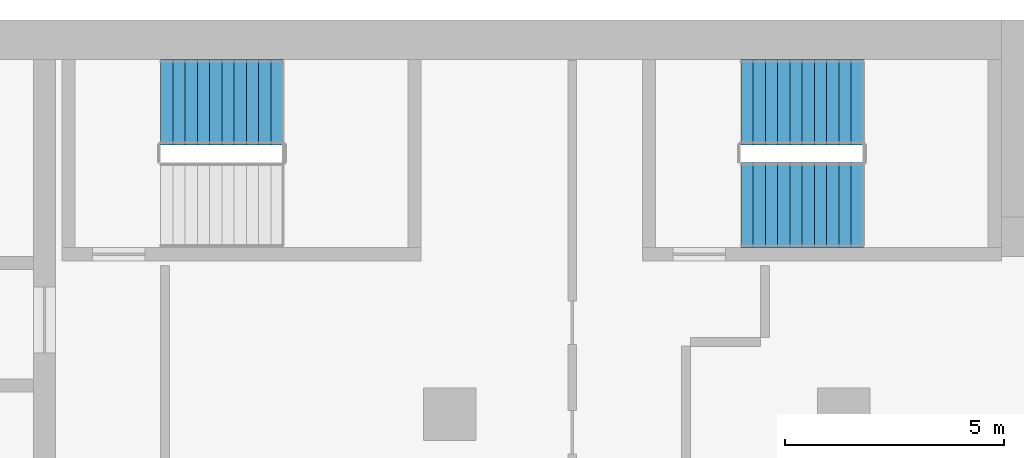
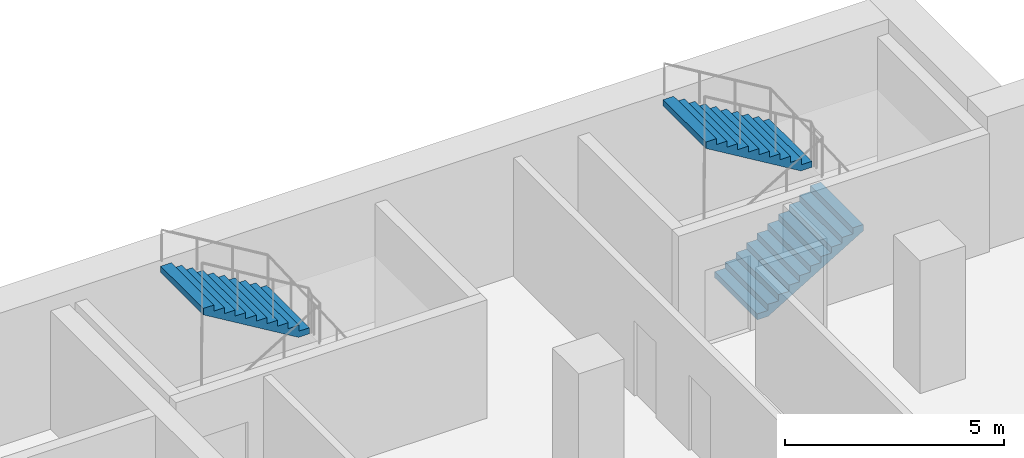
# One storey, part 18 of 23: 3 stair flights, 2 elements without a shape of their own.
"""IFC4 building model written with IfcOpenShell, lengths in metres."""

from ifc_helpers import new_model, si_unit, direction, frame, origin, place, context, subcontext, project, spatial, polyline, outline, extrude, material, type_object, element, aggregate, save


model = new_model("IFC4")

# Units and contexts
model_context = context("Model", 3, precision=1e-05, world=origin(), true_north=direction((0.0, 1.0)))
body_context = subcontext(model_context, "Body", "Model", "MODEL_VIEW")
ifc_project = project(units=[si_unit("LENGTHUNIT", "METRE"), si_unit("AREAUNIT", "SQUARE_METRE"), si_unit("VOLUMEUNIT", "CUBIC_METRE"), si_unit("PLANEANGLEUNIT", "RADIAN"), si_unit("MASSUNIT", "GRAM", prefix="KILO")], contexts=[model_context])

# Site, building, storey
site_placement = place(None, origin())
site = spatial("IfcSite", under=ifc_project, at=site_placement, CompositionType="ELEMENT")
building_placement = place(site_placement, origin())
building = spatial("IfcBuilding", under=site, at=building_placement, Name="Hunhe Ridgeline Campus", CompositionType="ELEMENT")
storey_placement = place(building_placement, frame((0.0, 0.0, 167.10009765625)))
storey = spatial("IfcBuildingStorey", under=building, at=storey_placement, Name="L42", CompositionType="ELEMENT", Elevation=167.10009765625)

# Stair, stair flight
ifc_material = material(Name="Concrete C40", Category="concrete")
stair_type = type_object("IfcStairType", Name="Reinforced concrete dog-leg stair 1950 Concrete C40", PredefinedType="HALF_TURN_STAIR", material=ifc_material)
stair_1_placement = place(storey_placement, origin())
stair_1 = element("IfcStair", 1, at=stair_1_placement, inside=storey, type_object=stair_type, Name="L42 E1", PredefinedType="HALF_TURN_STAIR")
stair_flight_type = type_object("IfcStairFlightType", Name="Reinforced concrete stair flight 1950 Concrete C40", PredefinedType="STRAIGHT", material=ifc_material)
stair_flight_1_placement = place(storey_placement, frame((41.199951171875, 97.125, 1.849853515625), z_axis=(0.0, 0.0, 1.0), x_axis=(-1.0, 0.0, 0.0)))
stair_flight_1 = element("IfcStairFlight", 2, at=stair_flight_1_placement, type_object=stair_flight_type, Name="ST5 flight 2", NumberOfRisers=11, NumberOfTreads=10, PredefinedType="STRAIGHT", RiserHeight=0.168181818, TreadLength=0.28, context=body_context, shape_type="SweptSolid", body=[
    extrude(outline(polyline([(0.0, 0.0), (0.0, 0.168212890625), (0.280029296875, 0.168212890625), (0.280029296875, 0.33642578125), (0.56005859375, 0.33642578125), (0.56005859375, 0.504638671875), (0.840087890625, 0.504638671875), (0.840087890625, 0.672607421875), (1.1201171875, 0.672607421875), (1.1201171875, 0.8408203125), (1.39990234375, 0.8408203125), (1.39990234375, 1.009033203125), (1.679931640625, 1.009033203125), (1.679931640625, 1.17724609375), (1.9599609375, 1.17724609375), (1.9599609375, 1.345458984375), (2.239990234375, 1.345458984375), (2.239990234375, 1.513671875), (2.52001953125, 1.513671875), (2.52001953125, 1.681884765625), (2.800048828125, 1.681884765625), (2.800048828125, 1.85009765625), (2.800048828125, 1.5068359375), (0.291015625, 0.0), (0.0, 0.0)])), frame((0.0, 0.97509765625, 0.0), z_axis=(0.0, -1.0, 0.0), x_axis=(1.0, 0.0, 0.0)), (0.0, 0.0, 1.0), 1.949951171875),
    extrude(outline(polyline([(0.030029296875, 0.030029296875), (0.030029296875, 0.13818359375), (0.31005859375, 0.13818359375), (0.31005859375, 0.306396484375), (0.590087890625, 0.306396484375), (0.590087890625, 0.474609375), (0.8701171875, 0.474609375), (0.8701171875, 0.642578125), (1.14990234375, 0.642578125), (1.14990234375, 0.810791015625), (1.429931640625, 0.810791015625), (1.429931640625, 0.97900390625), (1.7099609375, 0.97900390625), (1.7099609375, 1.147216796875), (1.989990234375, 1.147216796875), (1.989990234375, 1.3154296875), (2.27001953125, 1.3154296875), (2.27001953125, 1.483642578125), (2.550048828125, 1.483642578125), (2.550048828125, 1.65185546875), (2.77001953125, 1.65185546875), (2.77001953125, 1.52392578125), (0.28271484375, 0.030029296875), (0.030029296875, 0.030029296875)])), frame((0.0, -0.070068359375, 0.0), z_axis=(0.0, -1.0, 0.0), x_axis=(1.0, 0.0, 0.0)), (0.0, 0.0, 1.0), 0.019775390625),
    extrude(outline(polyline([(0.030029296875, 0.030029296875), (0.030029296875, 0.13818359375), (0.31005859375, 0.13818359375), (0.31005859375, 0.306396484375), (0.590087890625, 0.306396484375), (0.590087890625, 0.474609375), (0.8701171875, 0.474609375), (0.8701171875, 0.642578125), (1.14990234375, 0.642578125), (1.14990234375, 0.810791015625), (1.429931640625, 0.810791015625), (1.429931640625, 0.97900390625), (1.7099609375, 0.97900390625), (1.7099609375, 1.147216796875), (1.989990234375, 1.147216796875), (1.989990234375, 1.3154296875), (2.27001953125, 1.3154296875), (2.27001953125, 1.483642578125), (2.550048828125, 1.483642578125), (2.550048828125, 1.65185546875), (2.77001953125, 1.65185546875), (2.77001953125, 1.52392578125), (0.28271484375, 0.030029296875), (0.030029296875, 0.030029296875)])), frame((0.0, 0.010009765625, 0.0), z_axis=(0.0, -1.0, 0.0), x_axis=(1.0, 0.0, 0.0)), (0.0, 0.0, 1.0), 0.019775390625),
    extrude(outline(polyline([(0.030029296875, 0.030029296875), (0.030029296875, 0.13818359375), (0.31005859375, 0.13818359375), (0.31005859375, 0.306396484375), (0.590087890625, 0.306396484375), (0.590087890625, 0.474609375), (0.8701171875, 0.474609375), (0.8701171875, 0.642578125), (1.14990234375, 0.642578125), (1.14990234375, 0.810791015625), (1.429931640625, 0.810791015625), (1.429931640625, 0.97900390625), (1.7099609375, 0.97900390625), (1.7099609375, 1.147216796875), (1.989990234375, 1.147216796875), (1.989990234375, 1.3154296875), (2.27001953125, 1.3154296875), (2.27001953125, 1.483642578125), (2.550048828125, 1.483642578125), (2.550048828125, 1.65185546875), (2.77001953125, 1.65185546875), (2.77001953125, 1.52392578125), (0.28271484375, 0.030029296875), (0.030029296875, 0.030029296875)])), frame((0.0, 0.090087890625, 0.0), z_axis=(0.0, -1.0, 0.0), x_axis=(1.0, 0.0, 0.0)), (0.0, 0.0, 1.0), 0.019775390625),
])
aggregate(stair_1, [stair_flight_1])

# Stair, stair flights
stair_2_placement = place(storey_placement, origin())
stair_2 = element("IfcStair", 3, at=stair_2_placement, inside=storey, type_object=stair_type, Name="L42 E2", PredefinedType="HALF_TURN_STAIR")
stair_flight_2_placement = place(storey_placement, frame((51.64990234375, 94.77490234375, 0.0), z_axis=(0.0, 0.0, 1.0), x_axis=(1.0, 0.0, 0.0)))
stair_flight_2 = element("IfcStairFlight", 4, at=stair_flight_2_placement, type_object=stair_flight_type, Name="ST6 flight 1", NumberOfRisers=11, NumberOfTreads=10, PredefinedType="STRAIGHT", RiserHeight=0.168181818, TreadLength=0.28, context=body_context, shape_type="SweptSolid", body=[
    extrude(outline(polyline([(0.0, 0.0), (0.0, 0.168212890625), (0.280029296875, 0.168212890625), (0.280029296875, 0.33642578125), (0.56005859375, 0.33642578125), (0.56005859375, 0.504638671875), (0.840087890625, 0.504638671875), (0.840087890625, 0.672607421875), (1.1201171875, 0.672607421875), (1.1201171875, 0.8408203125), (1.39990234375, 0.8408203125), (1.39990234375, 1.009033203125), (1.679931640625, 1.009033203125), (1.679931640625, 1.17724609375), (1.9599609375, 1.17724609375), (1.9599609375, 1.345458984375), (2.239990234375, 1.345458984375), (2.239990234375, 1.513671875), (2.52001953125, 1.513671875), (2.52001953125, 1.681884765625), (2.800048828125, 1.681884765625), (2.800048828125, 1.85009765625), (2.800048828125, 1.5068359375), (0.291015625, 0.0), (0.0, 0.0)])), frame((0.0, 0.97509765625, 0.0), z_axis=(0.0, -1.0, 0.0), x_axis=(1.0, 0.0, 0.0)), (0.0, 0.0, 1.0), 1.949951171875),
    extrude(outline(polyline([(0.030029296875, 0.030029296875), (0.030029296875, 0.13818359375), (0.31005859375, 0.13818359375), (0.31005859375, 0.306396484375), (0.590087890625, 0.306396484375), (0.590087890625, 0.474609375), (0.8701171875, 0.474609375), (0.8701171875, 0.642578125), (1.14990234375, 0.642578125), (1.14990234375, 0.810791015625), (1.429931640625, 0.810791015625), (1.429931640625, 0.97900390625), (1.7099609375, 0.97900390625), (1.7099609375, 1.147216796875), (1.989990234375, 1.147216796875), (1.989990234375, 1.3154296875), (2.27001953125, 1.3154296875), (2.27001953125, 1.483642578125), (2.550048828125, 1.483642578125), (2.550048828125, 1.65185546875), (2.77001953125, 1.65185546875), (2.77001953125, 1.52392578125), (0.28271484375, 0.030029296875), (0.030029296875, 0.030029296875)])), frame((0.0, -0.070068359375, 0.0), z_axis=(0.0, -1.0, 0.0), x_axis=(1.0, 0.0, 0.0)), (0.0, 0.0, 1.0), 0.019775390625),
    extrude(outline(polyline([(0.030029296875, 0.030029296875), (0.030029296875, 0.13818359375), (0.31005859375, 0.13818359375), (0.31005859375, 0.306396484375), (0.590087890625, 0.306396484375), (0.590087890625, 0.474609375), (0.8701171875, 0.474609375), (0.8701171875, 0.642578125), (1.14990234375, 0.642578125), (1.14990234375, 0.810791015625), (1.429931640625, 0.810791015625), (1.429931640625, 0.97900390625), (1.7099609375, 0.97900390625), (1.7099609375, 1.147216796875), (1.989990234375, 1.147216796875), (1.989990234375, 1.3154296875), (2.27001953125, 1.3154296875), (2.27001953125, 1.483642578125), (2.550048828125, 1.483642578125), (2.550048828125, 1.65185546875), (2.77001953125, 1.65185546875), (2.77001953125, 1.52392578125), (0.28271484375, 0.030029296875), (0.030029296875, 0.030029296875)])), frame((0.0, 0.010009765625, 0.0), z_axis=(0.0, -1.0, 0.0), x_axis=(1.0, 0.0, 0.0)), (0.0, 0.0, 1.0), 0.019775390625),
    extrude(outline(polyline([(0.030029296875, 0.030029296875), (0.030029296875, 0.13818359375), (0.31005859375, 0.13818359375), (0.31005859375, 0.306396484375), (0.590087890625, 0.306396484375), (0.590087890625, 0.474609375), (0.8701171875, 0.474609375), (0.8701171875, 0.642578125), (1.14990234375, 0.642578125), (1.14990234375, 0.810791015625), (1.429931640625, 0.810791015625), (1.429931640625, 0.97900390625), (1.7099609375, 0.97900390625), (1.7099609375, 1.147216796875), (1.989990234375, 1.147216796875), (1.989990234375, 1.3154296875), (2.27001953125, 1.3154296875), (2.27001953125, 1.483642578125), (2.550048828125, 1.483642578125), (2.550048828125, 1.65185546875), (2.77001953125, 1.65185546875), (2.77001953125, 1.52392578125), (0.28271484375, 0.030029296875), (0.030029296875, 0.030029296875)])), frame((0.0, 0.090087890625, 0.0), z_axis=(0.0, -1.0, 0.0), x_axis=(1.0, 0.0, 0.0)), (0.0, 0.0, 1.0), 0.019775390625),
])
stair_flight_3_placement = place(storey_placement, frame((54.449951171875, 97.125, 1.849853515625), z_axis=(0.0, 0.0, 1.0), x_axis=(-1.0, 0.0, 0.0)))
stair_flight_3 = element("IfcStairFlight", 5, at=stair_flight_3_placement, type_object=stair_flight_type, Name="ST6 flight 2", NumberOfRisers=11, NumberOfTreads=10, PredefinedType="STRAIGHT", RiserHeight=0.168181818, TreadLength=0.28, context=body_context, shape_type="SweptSolid", body=[
    extrude(outline(polyline([(0.0, 0.0), (0.0, 0.168212890625), (0.280029296875, 0.168212890625), (0.280029296875, 0.33642578125), (0.56005859375, 0.33642578125), (0.56005859375, 0.504638671875), (0.840087890625, 0.504638671875), (0.840087890625, 0.672607421875), (1.1201171875, 0.672607421875), (1.1201171875, 0.8408203125), (1.39990234375, 0.8408203125), (1.39990234375, 1.009033203125), (1.679931640625, 1.009033203125), (1.679931640625, 1.17724609375), (1.9599609375, 1.17724609375), (1.9599609375, 1.345458984375), (2.239990234375, 1.345458984375), (2.239990234375, 1.513671875), (2.52001953125, 1.513671875), (2.52001953125, 1.681884765625), (2.800048828125, 1.681884765625), (2.800048828125, 1.85009765625), (2.800048828125, 1.5068359375), (0.291015625, 0.0), (0.0, 0.0)])), frame((0.0, 0.97509765625, 0.0), z_axis=(0.0, -1.0, 0.0), x_axis=(1.0, 0.0, 0.0)), (0.0, 0.0, 1.0), 1.949951171875),
    extrude(outline(polyline([(0.030029296875, 0.030029296875), (0.030029296875, 0.13818359375), (0.31005859375, 0.13818359375), (0.31005859375, 0.306396484375), (0.590087890625, 0.306396484375), (0.590087890625, 0.474609375), (0.8701171875, 0.474609375), (0.8701171875, 0.642578125), (1.14990234375, 0.642578125), (1.14990234375, 0.810791015625), (1.429931640625, 0.810791015625), (1.429931640625, 0.97900390625), (1.7099609375, 0.97900390625), (1.7099609375, 1.147216796875), (1.989990234375, 1.147216796875), (1.989990234375, 1.3154296875), (2.27001953125, 1.3154296875), (2.27001953125, 1.483642578125), (2.550048828125, 1.483642578125), (2.550048828125, 1.65185546875), (2.77001953125, 1.65185546875), (2.77001953125, 1.52392578125), (0.28271484375, 0.030029296875), (0.030029296875, 0.030029296875)])), frame((0.0, -0.070068359375, 0.0), z_axis=(0.0, -1.0, 0.0), x_axis=(1.0, 0.0, 0.0)), (0.0, 0.0, 1.0), 0.019775390625),
    extrude(outline(polyline([(0.030029296875, 0.030029296875), (0.030029296875, 0.13818359375), (0.31005859375, 0.13818359375), (0.31005859375, 0.306396484375), (0.590087890625, 0.306396484375), (0.590087890625, 0.474609375), (0.8701171875, 0.474609375), (0.8701171875, 0.642578125), (1.14990234375, 0.642578125), (1.14990234375, 0.810791015625), (1.429931640625, 0.810791015625), (1.429931640625, 0.97900390625), (1.7099609375, 0.97900390625), (1.7099609375, 1.147216796875), (1.989990234375, 1.147216796875), (1.989990234375, 1.3154296875), (2.27001953125, 1.3154296875), (2.27001953125, 1.483642578125), (2.550048828125, 1.483642578125), (2.550048828125, 1.65185546875), (2.77001953125, 1.65185546875), (2.77001953125, 1.52392578125), (0.28271484375, 0.030029296875), (0.030029296875, 0.030029296875)])), frame((0.0, 0.010009765625, 0.0), z_axis=(0.0, -1.0, 0.0), x_axis=(1.0, 0.0, 0.0)), (0.0, 0.0, 1.0), 0.019775390625),
    extrude(outline(polyline([(0.030029296875, 0.030029296875), (0.030029296875, 0.13818359375), (0.31005859375, 0.13818359375), (0.31005859375, 0.306396484375), (0.590087890625, 0.306396484375), (0.590087890625, 0.474609375), (0.8701171875, 0.474609375), (0.8701171875, 0.642578125), (1.14990234375, 0.642578125), (1.14990234375, 0.810791015625), (1.429931640625, 0.810791015625), (1.429931640625, 0.97900390625), (1.7099609375, 0.97900390625), (1.7099609375, 1.147216796875), (1.989990234375, 1.147216796875), (1.989990234375, 1.3154296875), (2.27001953125, 1.3154296875), (2.27001953125, 1.483642578125), (2.550048828125, 1.483642578125), (2.550048828125, 1.65185546875), (2.77001953125, 1.65185546875), (2.77001953125, 1.52392578125), (0.28271484375, 0.030029296875), (0.030029296875, 0.030029296875)])), frame((0.0, 0.090087890625, 0.0), z_axis=(0.0, -1.0, 0.0), x_axis=(1.0, 0.0, 0.0)), (0.0, 0.0, 1.0), 0.019775390625),
])
aggregate(stair_2, [stair_flight_2, stair_flight_3])

save(model, "model.ifc")
